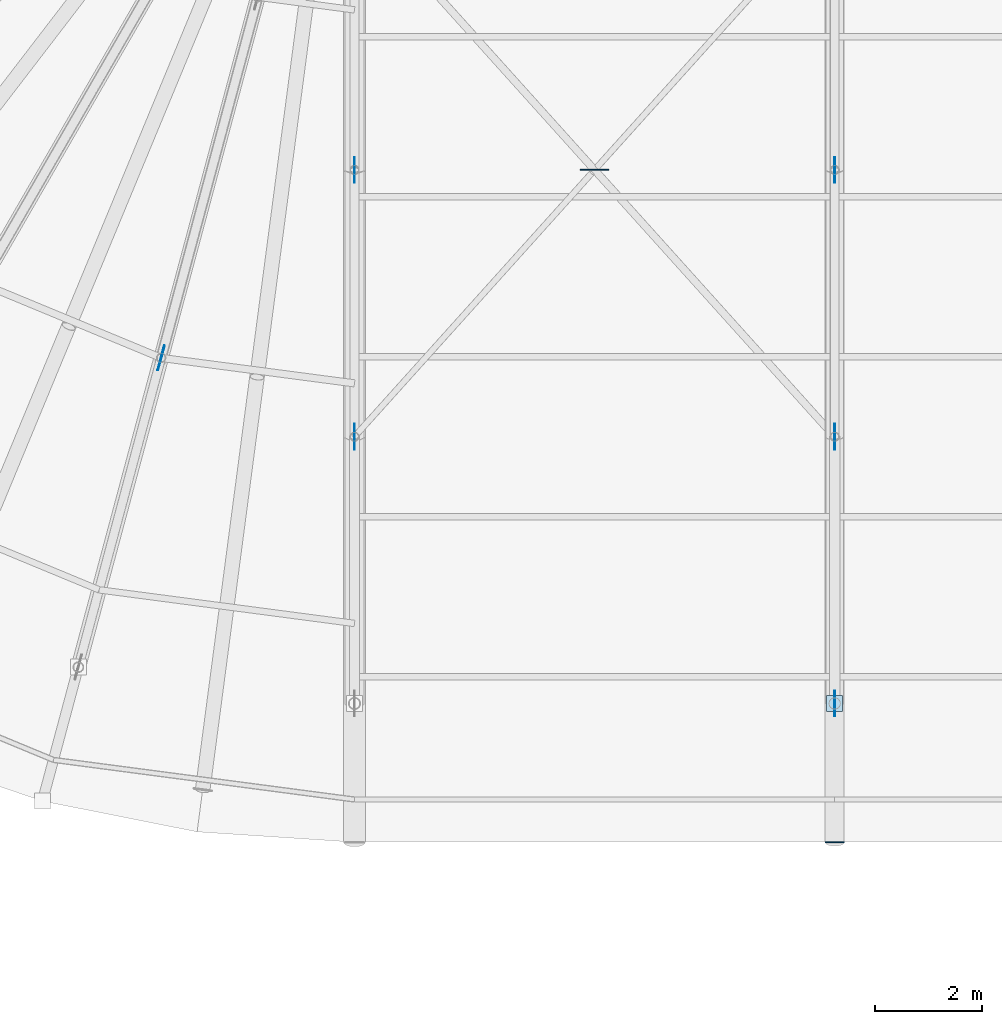
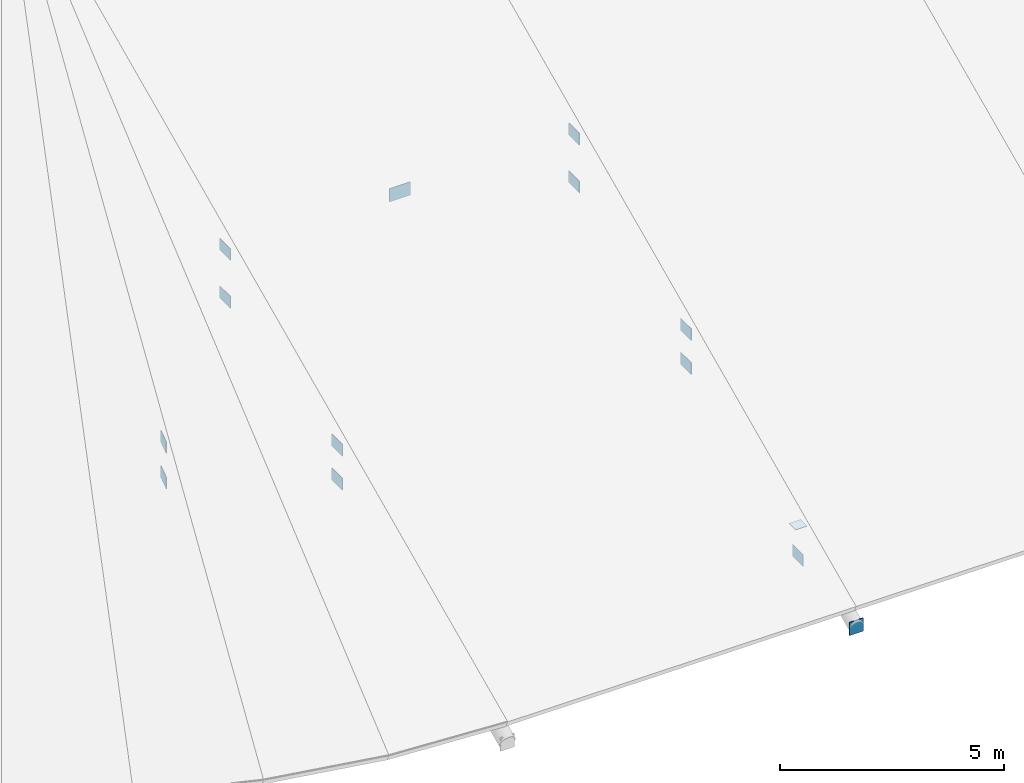
# One storey, part 86 of 107: 14 plates.
"""IFC4 building model written with IfcOpenShell, lengths in metres."""

from ifc_helpers import new_model, si_unit, derived_unit, direction, frame, origin, origin_2d, place, context, subcontext, project, spatial, rectangle, extrude, material, layer, layer_set, type_object, element, save


model = new_model("IFC4")

# Units and contexts
model_context = context("Model", 3, precision=1e-05, world=origin(), true_north=direction((0.0, 1.0)))
body_context = subcontext(model_context, "Body", "Model", "MODEL_VIEW")
ifc_project = project(units=[si_unit("LENGTHUNIT", "METRE"), si_unit("AREAUNIT", "SQUARE_METRE"), si_unit("VOLUMEUNIT", "CUBIC_METRE"), si_unit("PLANEANGLEUNIT", "RADIAN"), si_unit("MASSUNIT", "GRAM", prefix="KILO"), si_unit("THERMODYNAMICTEMPERATUREUNIT", "KELVIN"), si_unit("TIMEUNIT", "SECOND"), derived_unit("THERMALTRANSMITTANCEUNIT", [(si_unit("MASSUNIT", "GRAM", prefix="KILO"), 1), (si_unit("THERMODYNAMICTEMPERATUREUNIT", "KELVIN"), -1), (si_unit("TIMEUNIT", "SECOND"), -3)])], contexts=[model_context])

# Site, building, storey
site_placement = place(None, origin())
site = spatial("IfcSite", under=ifc_project, at=site_placement, CompositionType="ELEMENT")
building_placement = place(site_placement, origin())
building = spatial("IfcBuilding", under=site, at=building_placement, Name="Cambertide Market Hall", CompositionType="ELEMENT")
storey_placement = place(building_placement, frame((0.0, 0.0, 18.300048828125)))
storey = spatial("IfcBuildingStorey", under=building, at=storey_placement, Name="RF", CompositionType="ELEMENT", Elevation=18.300048828125)

# Plates
ifc_material_1 = material(Name="Steel S355", Category="steel")
ifc_layer_1 = layer(ifc_material_1, 0.013916015625, Name="Steel End Cap Plate EC-02")
ifc_layer_set_1 = layer_set([ifc_layer_1], Name="Steel S355")
plate_type_1 = type_object("IfcPlateType", Name="Steel End Cap Plate EC-02", PredefinedType="USERDEFINED", material=ifc_layer_set_1)
plate_1_placement = place(storey_placement, frame((51.0, 52.0, -9.55712890625), z_axis=(0.0, 0.0, 1.0), x_axis=(1.0, 0.0, 0.0)))
element("IfcPlate", 1, at=plate_1_placement, inside=storey, type_object=plate_type_1, Name="High-Bay Brace Connection End Cap Plate EC-BRN-020", ObjectType="END CAP PLATE", PredefinedType="USERDEFINED", context=body_context, shape_type="SweptSolid", body=[
    extrude(rectangle(XDim=0.300048828125, YDim=0.300048828125, at=origin_2d()), origin(), (0.0, 0.0, 1.0), 0.013916015625),
])
ifc_material_2 = material(Name="Steel S355", Category="steel")
ifc_layer_2 = layer(ifc_material_2, 0.02392578125, Name="Steel End Cap Plate EC-03E")
ifc_layer_set_2 = layer_set([ifc_layer_2], Name="Steel S355")
plate_type_2 = type_object("IfcPlateType", Name="Steel End Cap Plate EC-03E", PredefinedType="USERDEFINED", material=ifc_layer_set_2)
plate_2_placement = place(storey_placement, frame((51.0, 49.39990234375, -10.92626953125), z_axis=(0.0, 0.0, 1.0), x_axis=(1.0, 0.0, 0.0)))
element("IfcPlate", 2, at=plate_2_placement, inside=storey, type_object=plate_type_2, Name="Eave Overhang End Cap Plate 2-S", ObjectType="END CAP PLATE", PredefinedType="USERDEFINED", context=body_context, shape_type="SweptSolid", body=[
    extrude(rectangle(XDim=0.360107421875, YDim=0.02392578125, at=origin_2d()), origin(), (0.0, 0.0, 1.0), 0.360107421875),
])
ifc_material_3 = material(Name="Steel S355", Category="steel")
ifc_layer_3 = layer(ifc_material_3, 0.02001953125, Name="Steel Gusset Plate GP-01")
ifc_layer_set_3 = layer_set([ifc_layer_3], Name="Steel S355")
plate_type_3 = type_object("IfcPlateType", Name="Steel Gusset Plate GP-01", PredefinedType="USERDEFINED", material=ifc_layer_set_3)
plate_3_placement = place(storey_placement, frame((46.5, 62.0, -5.1298828125), z_axis=(0.0, 0.0, 1.0), x_axis=(1.0, 0.0, 0.0)))
element("IfcPlate", 3, at=plate_3_placement, inside=storey, type_object=plate_type_3, Name="Wind X-Brace Crossing Gusset Plate 1-S", ObjectType="GUSSET PLATE", PredefinedType="USERDEFINED", context=body_context, shape_type="SweptSolid", body=[
    extrude(rectangle(XDim=0.5400390625, YDim=0.02001953125, at=origin_2d()), origin(), (0.0, 0.0, 1.0), 0.360107421875),
])
ifc_material_4 = material(Name="Steel S355", Category="steel")
ifc_layer_4 = layer(ifc_material_4, 0.01806640625, Name="Steel Gusset Plate GP-02")
ifc_layer_set_4 = layer_set([ifc_layer_4], Name="Steel S355")
plate_type_4 = type_object("IfcPlateType", Name="Steel Gusset Plate GP-02", PredefinedType="USERDEFINED", material=ifc_layer_set_4)
for number, where, z_axis, x_axis, name in (
    (4, (42.0, 57.0, -7.41015625), (0.0, 0.0, 1.0), (1.0, 0.0, 0.0), "Arch Truss 1 Node Gusset Plate 1"),
    (5, (42.0, 62.0, -5.10986328125), (0.0, 0.0, 1.0), (1.0, 0.0, 0.0), "Arch Truss 1 Node Gusset Plate 2"),
    (6, (51.0, 57.0, -7.41015625), (0.0, 0.0, 1.0), (1.0, 0.0, 0.0), "Arch Truss 2 Node Gusset Plate 1"),
    (7, (51.0, 62.0, -5.10986328125), (0.0, 0.0, 1.0), (1.0, 0.0, 0.0), "Arch Truss 2 Node Gusset Plate 2"),
):
    element("IfcPlate", number, at=place(storey_placement, frame(where, z_axis=z_axis, x_axis=x_axis)), inside=storey, type_object=plate_type_4, Name=name, ObjectType="GUSSET PLATE", PredefinedType="USERDEFINED", context=body_context, shape_type="SweptSolid", body=[
        extrude(rectangle(XDim=0.01806640625, YDim=0.47998046875, at=origin_2d()), origin(), (0.0, 0.0, 1.0), 0.320068359375),
    ])
for number, where, z_axis, x_axis, name in (
    (8, (42.0, 57.0, -8.3369140625), (0.0, 0.0, 1.0), (0.0, 1.0, 0.0), "High-Bay Brace Connection Gusset Plate GP-BRN-002"),
    (9, (42.0, 62.0, -6.4111328125), (0.0, 0.0, 1.0), (0.0, 1.0, 0.0), "High-Bay Brace Connection Gusset Plate GP-BRN-003"),
    (10, (51.0, 52.0, -10.5400390625), (0.0, 0.0, 1.0), (0.0, 1.0, 0.0), "High-Bay Brace Connection Gusset Plate GP-BRN-012"),
    (11, (51.0, 57.0, -8.3369140625), (0.0, 0.0, 1.0), (0.0, 1.0, 0.0), "High-Bay Brace Connection Gusset Plate GP-BRN-013"),
    (12, (51.0, 62.0, -6.4111328125), (0.0, 0.0, 1.0), (0.0, 1.0, 0.0), "High-Bay Brace Connection Gusset Plate GP-BRN-014"),
    (13, (38.37646484375, 58.47705078125, -7.916015625), (0.0, 0.0, 1.0), (0.258819045103, 0.965925826289, 0.0), "High-Bay Brace Connection Gusset Plate GP-BRN-150"),
    (14, (38.37646484375, 58.47705078125, -6.9501953125), (0.0, 0.0, 1.0), (0.258819045103, 0.965925826289, 0.0), "High-Bay Brace Connection Gusset Plate GP-BRN-153"),
):
    element("IfcPlate", number, at=place(storey_placement, frame(where, z_axis=z_axis, x_axis=x_axis)), inside=storey, type_object=plate_type_4, Name=name, ObjectType="GUSSET PLATE", PredefinedType="USERDEFINED", context=body_context, shape_type="SweptSolid", body=[
        extrude(rectangle(XDim=0.47998046875, YDim=0.01806640625, at=origin_2d()), origin(), (0.0, 0.0, 1.0), 0.320068359375),
    ])

save(model, "model.ifc")
